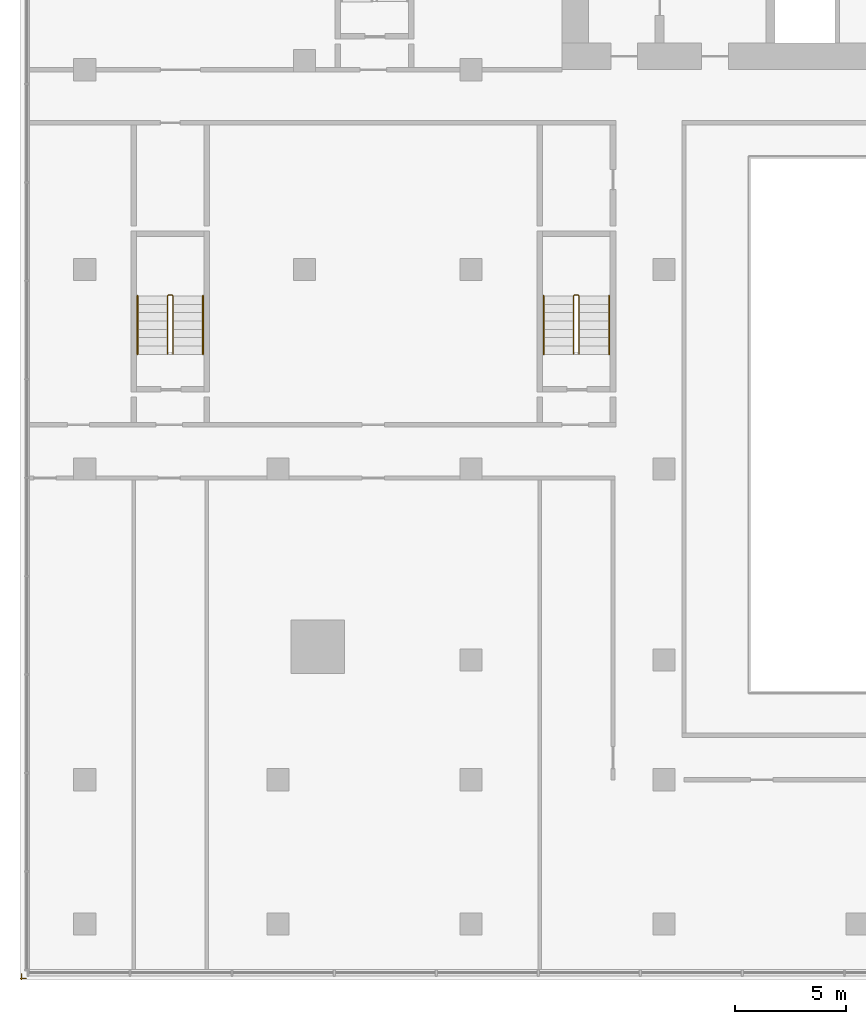
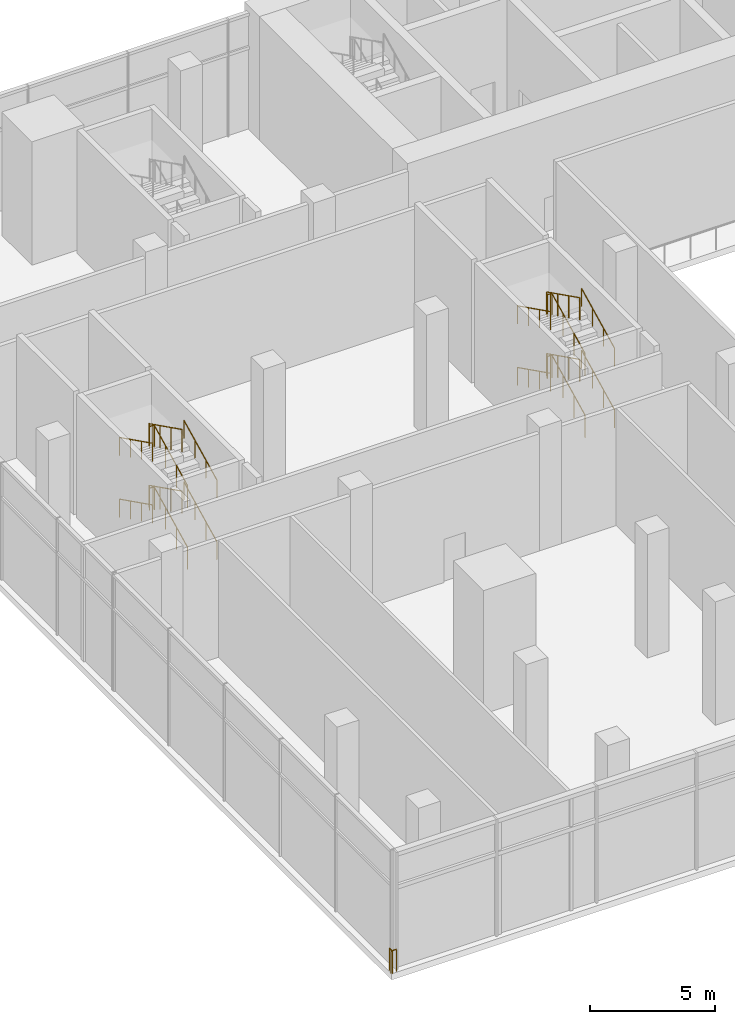
# One storey, part 18 of 22: 13 railings.
"""IFC4 building model written with IfcOpenShell, lengths in metres."""

from ifc_helpers import new_model, si_unit, direction, frame, origin, origin_2d, place, context, subcontext, project, spatial, circle, extrude, material, type_object, element, save


model = new_model("IFC4")

# Units and contexts
model_context = context("Model", 3, precision=1e-05, world=origin(), true_north=direction((0.0, 1.0)))
body_context = subcontext(model_context, "Body", "Model", "MODEL_VIEW")
ifc_project = project(units=[si_unit("LENGTHUNIT", "METRE"), si_unit("AREAUNIT", "SQUARE_METRE"), si_unit("VOLUMEUNIT", "CUBIC_METRE"), si_unit("PLANEANGLEUNIT", "RADIAN"), si_unit("MASSUNIT", "GRAM", prefix="KILO")], contexts=[model_context])

# Site, building, storey
site_placement = place(None, origin())
site = spatial("IfcSite", under=ifc_project, at=site_placement, CompositionType="ELEMENT")
building_placement = place(site_placement, origin())
building = spatial("IfcBuilding", under=site, at=building_placement, Name="Bicima Exchange Tower", CompositionType="ELEMENT")
storey_placement = place(building_placement, frame((0.0, 0.0, 14.0)))
storey = spatial("IfcBuildingStorey", under=building, at=storey_placement, Name="L02", CompositionType="ELEMENT", Elevation=14.0)

# Railings
ifc_material_1 = material(Name="Stainless steel and bonded safety glass", Category="steel")
railing_type_1 = type_object("IfcRailingType", Name="Edge guard 1100", PredefinedType="GUARDRAIL", material=ifc_material_1)
railing_1_placement = place(storey_placement, frame((-46.15087890625, -53.949951171875, 0.0)))
element("IfcRailing", 1, at=railing_1_placement, inside=storey, type_object=railing_type_1, Name="Edge guard L02 8", PredefinedType="GUARDRAIL", context=body_context, shape_type="SweptSolid", body=[
    extrude(circle(Radius=0.02392578125, at=origin_2d()), frame((0.0, 0.0, 1.076171875), z_axis=(-1.0, 0.0, 0.0), x_axis=(0.0, -1.0, 0.0)), (0.0, 0.0, 1.0), 0.2490234375),
    extrude(circle(Radius=0.02392578125, at=origin_2d()), frame((-0.2490234375, 0.0, 1.076171875), z_axis=(0.705375805398, -0.708833529934, 0.0), x_axis=(0.708833529934, 0.705375805398, 0.0)), (0.0, 0.0, 1.0), 0.070556640625),
    extrude(circle(Radius=0.02392578125, at=origin_2d()), frame((-0.19921875, -0.050048828125, 1.076171875), z_axis=(0.0, 1.0, 0.0), x_axis=(-1.0, 0.0, 0.0)), (0.0, 0.0, 1.0), 0.25),
    extrude(circle(Radius=0.02099609375, at=origin_2d()), origin(), (0.0, 0.0, 1.0), 1.052001953125),
    extrude(circle(Radius=0.02099609375, at=origin_2d()), frame((-0.2490234375, 0.0, 0.0)), (0.0, 0.0, 1.0), 1.052001953125),
    extrude(circle(Radius=0.02099609375, at=origin_2d()), frame((-0.19921875, -0.050048828125, 0.0)), (0.0, 0.0, 1.0), 1.052001953125),
    extrude(circle(Radius=0.02099609375, at=origin_2d()), frame((-0.19921875, 0.199951171875, 0.0)), (0.0, 0.0, 1.0), 1.052001953125),
])
ifc_material_2 = material(Name="Stainless steel", Category="steel")
railing_type_2 = type_object("IfcRailingType", Name="Stair guard 1100", PredefinedType="GUARDRAIL", material=ifc_material_2)
railing_2_placement = place(storey_placement, frame((-39.52490234375, -25.824951171875, 0.1875)))
element("IfcRailing", 2, at=railing_2_placement, inside=storey, type_object=railing_type_2, Name="L02 PS-W stair guard 1", PredefinedType="GUARDRAIL", context=body_context, shape_type="SweptSolid", body=[
    extrude(circle(Radius=0.02392578125, at=origin_2d()), frame((0.0, 0.0, 1.076171875), z_axis=(0.0, 0.894759197849, 0.446548964689), x_axis=(-1.0, 0.0, 0.0)), (0.0, 0.0, 1.0), 2.939208984375),
    extrude(circle(Radius=0.02392578125, at=origin_2d()), frame((0.0, 2.6298828125, 2.388671875), z_axis=(-0.707106781187, 0.707106781187, 0.0), x_axis=(-0.707106781187, -0.707106781187, 0.0)), (0.0, 0.0, 1.0), 0.07080078125),
    extrude(circle(Radius=0.02392578125, at=origin_2d()), frame((-0.050048828125, 2.679931640625, 2.388671875), z_axis=(-1.0, 0.0, 0.0), x_axis=(0.0, -1.0, 0.0)), (0.0, 0.0, 1.0), 0.150146484375),
    extrude(circle(Radius=0.02392578125, at=origin_2d()), frame((-0.2001953125, 2.679931640625, 2.388671875), z_axis=(-0.248583702486, -0.249802250048, 0.935844527007), x_axis=(0.708833529934, -0.705375805398, 0.0)), (0.0, 0.0, 1.0), 0.200439453125),
    extrude(circle(Radius=0.02392578125, at=origin_2d()), frame((-0.25, 2.6298828125, 2.576171875), z_axis=(0.0, -0.894759197849, 0.446548964689), x_axis=(1.0, 0.0, 0.0)), (0.0, 0.0, 1.0), 2.939208984375),
    extrude(circle(Radius=0.02099609375, at=origin_2d()), origin(), (0.0, 0.0, 1.0), 1.052001953125),
    extrude(circle(Radius=0.02099609375, at=origin_2d()), frame((0.0, 0.876708984375, 0.4375)), (0.0, 0.0, 1.0), 1.052001953125),
    extrude(circle(Radius=0.02099609375, at=origin_2d()), frame((0.0, 1.753173828125, 0.875)), (0.0, 0.0, 1.0), 1.052001953125),
    extrude(circle(Radius=0.02099609375, at=origin_2d()), frame((0.0, 2.6298828125, 1.3125)), (0.0, 0.0, 1.0), 1.052001953125),
    extrude(circle(Radius=0.02099609375, at=origin_2d()), frame((-0.050048828125, 2.679931640625, 1.3125)), (0.0, 0.0, 1.0), 1.052001953125),
    extrude(circle(Radius=0.02099609375, at=origin_2d()), frame((-0.2001953125, 2.679931640625, 1.3125)), (0.0, 0.0, 1.0), 1.052001953125),
    extrude(circle(Radius=0.02099609375, at=origin_2d()), frame((-0.25, 2.6298828125, 1.5)), (0.0, 0.0, 1.0), 1.052001953125),
    extrude(circle(Radius=0.02099609375, at=origin_2d()), frame((-0.25, 1.753173828125, 1.9375)), (0.0, 0.0, 1.0), 1.052001953125),
    extrude(circle(Radius=0.02099609375, at=origin_2d()), frame((-0.25, 0.876708984375, 2.375)), (0.0, 0.0, 1.0), 1.052001953125),
    extrude(circle(Radius=0.02099609375, at=origin_2d()), frame((-0.25, 0.0, 2.8125)), (0.0, 0.0, 1.0), 1.052001953125),
])
railing_3_placement = place(storey_placement, frame((-39.52490234375, -25.824951171875, 3.1875)))
element("IfcRailing", 3, at=railing_3_placement, inside=storey, type_object=railing_type_2, Name="L02 PS-W stair guard 2", PredefinedType="GUARDRAIL", context=body_context, shape_type="SweptSolid", body=[
    extrude(circle(Radius=0.02392578125, at=origin_2d()), frame((0.0, 0.0, 1.076171875), z_axis=(0.0, 0.894759197849, 0.446548964689), x_axis=(-1.0, 0.0, 0.0)), (0.0, 0.0, 1.0), 2.939208984375),
    extrude(circle(Radius=0.02392578125, at=origin_2d()), frame((0.0, 2.6298828125, 2.388671875), z_axis=(-0.707106781187, 0.707106781187, 0.0), x_axis=(-0.707106781187, -0.707106781187, 0.0)), (0.0, 0.0, 1.0), 0.07080078125),
    extrude(circle(Radius=0.02392578125, at=origin_2d()), frame((-0.050048828125, 2.679931640625, 2.388671875), z_axis=(-1.0, 0.0, 0.0), x_axis=(0.0, -1.0, 0.0)), (0.0, 0.0, 1.0), 0.150146484375),
    extrude(circle(Radius=0.02392578125, at=origin_2d()), frame((-0.2001953125, 2.679931640625, 2.388671875), z_axis=(-0.248583702486, -0.249802250048, 0.935844527007), x_axis=(0.708833529934, -0.705375805398, 0.0)), (0.0, 0.0, 1.0), 0.200439453125),
    extrude(circle(Radius=0.02392578125, at=origin_2d()), frame((-0.25, 2.6298828125, 2.576171875), z_axis=(0.0, -0.894759197849, 0.446548964689), x_axis=(1.0, 0.0, 0.0)), (0.0, 0.0, 1.0), 2.939208984375),
    extrude(circle(Radius=0.02099609375, at=origin_2d()), origin(), (0.0, 0.0, 1.0), 1.052001953125),
    extrude(circle(Radius=0.02099609375, at=origin_2d()), frame((0.0, 0.876708984375, 0.4375)), (0.0, 0.0, 1.0), 1.052001953125),
    extrude(circle(Radius=0.02099609375, at=origin_2d()), frame((0.0, 1.753173828125, 0.875)), (0.0, 0.0, 1.0), 1.052001953125),
    extrude(circle(Radius=0.02099609375, at=origin_2d()), frame((0.0, 2.6298828125, 1.3125)), (0.0, 0.0, 1.0), 1.052001953125),
    extrude(circle(Radius=0.02099609375, at=origin_2d()), frame((-0.050048828125, 2.679931640625, 1.3125)), (0.0, 0.0, 1.0), 1.052001953125),
    extrude(circle(Radius=0.02099609375, at=origin_2d()), frame((-0.2001953125, 2.679931640625, 1.3125)), (0.0, 0.0, 1.0), 1.052001953125),
    extrude(circle(Radius=0.02099609375, at=origin_2d()), frame((-0.25, 2.6298828125, 1.5)), (0.0, 0.0, 1.0), 1.052001953125),
    extrude(circle(Radius=0.02099609375, at=origin_2d()), frame((-0.25, 1.753173828125, 1.9375)), (0.0, 0.0, 1.0), 1.052001953125),
    extrude(circle(Radius=0.02099609375, at=origin_2d()), frame((-0.25, 0.876708984375, 2.375)), (0.0, 0.0, 1.0), 1.052001953125),
    extrude(circle(Radius=0.02099609375, at=origin_2d()), frame((-0.25, 0.0, 2.8125)), (0.0, 0.0, 1.0), 1.052001953125),
])
railing_4_placement = place(storey_placement, frame((-21.22509765625, -25.824951171875, 0.1875)))
element("IfcRailing", 4, at=railing_4_placement, inside=storey, type_object=railing_type_2, Name="L02 PS-WI stair guard 1", PredefinedType="GUARDRAIL", context=body_context, shape_type="SweptSolid", body=[
    extrude(circle(Radius=0.02392578125, at=origin_2d()), frame((0.0, 0.0, 1.076171875), z_axis=(0.0, 0.894759197849, 0.446548964689), x_axis=(-1.0, 0.0, 0.0)), (0.0, 0.0, 1.0), 2.939208984375),
    extrude(circle(Radius=0.02392578125, at=origin_2d()), frame((0.0, 2.6298828125, 2.388671875), z_axis=(-0.705375805398, 0.708833529934, 0.0), x_axis=(-0.708833529934, -0.705375805398, 0.0)), (0.0, 0.0, 1.0), 0.070556640625),
    extrude(circle(Radius=0.02392578125, at=origin_2d()), frame((-0.0498046875, 2.679931640625, 2.388671875), z_axis=(-1.0, 0.0, 0.0), x_axis=(0.0, -1.0, 0.0)), (0.0, 0.0, 1.0), 0.150146484375),
    extrude(circle(Radius=0.02392578125, at=origin_2d()), frame((-0.199951171875, 2.679931640625, 2.388671875), z_axis=(-0.249726431254, -0.249726431254, 0.935560483917), x_axis=(0.707106781187, -0.707106781187, 0.0)), (0.0, 0.0, 1.0), 0.200439453125),
    extrude(circle(Radius=0.02392578125, at=origin_2d()), frame((-0.25, 2.6298828125, 2.576171875), z_axis=(0.0, -0.894759197849, 0.446548964689), x_axis=(1.0, 0.0, 0.0)), (0.0, 0.0, 1.0), 2.939208984375),
    extrude(circle(Radius=0.02099609375, at=origin_2d()), origin(), (0.0, 0.0, 1.0), 1.052001953125),
    extrude(circle(Radius=0.02099609375, at=origin_2d()), frame((0.0, 0.876708984375, 0.4375)), (0.0, 0.0, 1.0), 1.052001953125),
    extrude(circle(Radius=0.02099609375, at=origin_2d()), frame((0.0, 1.753173828125, 0.875)), (0.0, 0.0, 1.0), 1.052001953125),
    extrude(circle(Radius=0.02099609375, at=origin_2d()), frame((0.0, 2.6298828125, 1.3125)), (0.0, 0.0, 1.0), 1.052001953125),
    extrude(circle(Radius=0.02099609375, at=origin_2d()), frame((-0.0498046875, 2.679931640625, 1.3125)), (0.0, 0.0, 1.0), 1.052001953125),
    extrude(circle(Radius=0.02099609375, at=origin_2d()), frame((-0.199951171875, 2.679931640625, 1.3125)), (0.0, 0.0, 1.0), 1.052001953125),
    extrude(circle(Radius=0.02099609375, at=origin_2d()), frame((-0.25, 2.6298828125, 1.5)), (0.0, 0.0, 1.0), 1.052001953125),
    extrude(circle(Radius=0.02099609375, at=origin_2d()), frame((-0.25, 1.753173828125, 1.9375)), (0.0, 0.0, 1.0), 1.052001953125),
    extrude(circle(Radius=0.02099609375, at=origin_2d()), frame((-0.25, 0.876708984375, 2.375)), (0.0, 0.0, 1.0), 1.052001953125),
    extrude(circle(Radius=0.02099609375, at=origin_2d()), frame((-0.25, 0.0, 2.8125)), (0.0, 0.0, 1.0), 1.052001953125),
])
railing_5_placement = place(storey_placement, frame((-21.22509765625, -25.824951171875, 3.1875)))
element("IfcRailing", 5, at=railing_5_placement, inside=storey, type_object=railing_type_2, Name="L02 PS-WI stair guard 2", PredefinedType="GUARDRAIL", context=body_context, shape_type="SweptSolid", body=[
    extrude(circle(Radius=0.02392578125, at=origin_2d()), frame((0.0, 0.0, 1.076171875), z_axis=(0.0, 0.894759197849, 0.446548964689), x_axis=(-1.0, 0.0, 0.0)), (0.0, 0.0, 1.0), 2.939208984375),
    extrude(circle(Radius=0.02392578125, at=origin_2d()), frame((0.0, 2.6298828125, 2.388671875), z_axis=(-0.705375805398, 0.708833529934, 0.0), x_axis=(-0.708833529934, -0.705375805398, 0.0)), (0.0, 0.0, 1.0), 0.070556640625),
    extrude(circle(Radius=0.02392578125, at=origin_2d()), frame((-0.0498046875, 2.679931640625, 2.388671875), z_axis=(-1.0, 0.0, 0.0), x_axis=(0.0, -1.0, 0.0)), (0.0, 0.0, 1.0), 0.150146484375),
    extrude(circle(Radius=0.02392578125, at=origin_2d()), frame((-0.199951171875, 2.679931640625, 2.388671875), z_axis=(-0.249726431254, -0.249726431254, 0.935560483917), x_axis=(0.707106781187, -0.707106781187, 0.0)), (0.0, 0.0, 1.0), 0.200439453125),
    extrude(circle(Radius=0.02392578125, at=origin_2d()), frame((-0.25, 2.6298828125, 2.576171875), z_axis=(0.0, -0.894759197849, 0.446548964689), x_axis=(1.0, 0.0, 0.0)), (0.0, 0.0, 1.0), 2.939208984375),
    extrude(circle(Radius=0.02099609375, at=origin_2d()), origin(), (0.0, 0.0, 1.0), 1.052001953125),
    extrude(circle(Radius=0.02099609375, at=origin_2d()), frame((0.0, 0.876708984375, 0.4375)), (0.0, 0.0, 1.0), 1.052001953125),
    extrude(circle(Radius=0.02099609375, at=origin_2d()), frame((0.0, 1.753173828125, 0.875)), (0.0, 0.0, 1.0), 1.052001953125),
    extrude(circle(Radius=0.02099609375, at=origin_2d()), frame((0.0, 2.6298828125, 1.3125)), (0.0, 0.0, 1.0), 1.052001953125),
    extrude(circle(Radius=0.02099609375, at=origin_2d()), frame((-0.0498046875, 2.679931640625, 1.3125)), (0.0, 0.0, 1.0), 1.052001953125),
    extrude(circle(Radius=0.02099609375, at=origin_2d()), frame((-0.199951171875, 2.679931640625, 1.3125)), (0.0, 0.0, 1.0), 1.052001953125),
    extrude(circle(Radius=0.02099609375, at=origin_2d()), frame((-0.25, 2.6298828125, 1.5)), (0.0, 0.0, 1.0), 1.052001953125),
    extrude(circle(Radius=0.02099609375, at=origin_2d()), frame((-0.25, 1.753173828125, 1.9375)), (0.0, 0.0, 1.0), 1.052001953125),
    extrude(circle(Radius=0.02099609375, at=origin_2d()), frame((-0.25, 0.876708984375, 2.375)), (0.0, 0.0, 1.0), 1.052001953125),
    extrude(circle(Radius=0.02099609375, at=origin_2d()), frame((-0.25, 0.0, 2.8125)), (0.0, 0.0, 1.0), 1.052001953125),
])
railing_type_3 = type_object("IfcRailingType", Name="Stair handrail 900", PredefinedType="HANDRAIL", material=ifc_material_2)
railing_6_placement = place(storey_placement, frame((-38.175048828125, -25.824951171875, 0.1875)))
element("IfcRailing", 6, at=railing_6_placement, inside=storey, type_object=railing_type_3, Name="L02 PS-W stair handrail 1", PredefinedType="HANDRAIL", context=body_context, shape_type="SweptSolid", body=[
    extrude(circle(Radius=0.02392578125, at=origin_2d()), frame((0.0, 0.0, 0.8759765625), z_axis=(0.0, 0.894759197849, 0.446548964689), x_axis=(-1.0, 0.0, 0.0)), (0.0, 0.0, 1.0), 2.939208984375),
    extrude(circle(Radius=0.02099609375, at=origin_2d()), origin(), (0.0, 0.0, 1.0), 0.851806640625),
    extrude(circle(Radius=0.02099609375, at=origin_2d()), frame((0.0, 0.876708984375, 0.4375)), (0.0, 0.0, 1.0), 0.851806640625),
    extrude(circle(Radius=0.02099609375, at=origin_2d()), frame((0.0, 1.753173828125, 0.875)), (0.0, 0.0, 1.0), 0.851806640625),
    extrude(circle(Radius=0.02099609375, at=origin_2d()), frame((0.0, 2.6298828125, 1.3125)), (0.0, 0.0, 1.0), 0.851806640625),
])
railing_7_placement = place(storey_placement, frame((-41.125, -23.195068359375, 1.6875)))
element("IfcRailing", 7, at=railing_7_placement, inside=storey, type_object=railing_type_3, Name="L02 PS-W stair handrail 2", PredefinedType="HANDRAIL", context=body_context, shape_type="SweptSolid", body=[
    extrude(circle(Radius=0.02392578125, at=origin_2d()), frame((0.0, 0.0, 0.8759765625), z_axis=(0.0, -0.894759197849, 0.446548964689), x_axis=(1.0, 0.0, 0.0)), (0.0, 0.0, 1.0), 2.939208984375),
    extrude(circle(Radius=0.02099609375, at=origin_2d()), origin(), (0.0, 0.0, 1.0), 0.851806640625),
    extrude(circle(Radius=0.02099609375, at=origin_2d()), frame((0.0, -0.876708984375, 0.4375)), (0.0, 0.0, 1.0), 0.851806640625),
    extrude(circle(Radius=0.02099609375, at=origin_2d()), frame((0.0, -1.753173828125, 0.875)), (0.0, 0.0, 1.0), 0.851806640625),
    extrude(circle(Radius=0.02099609375, at=origin_2d()), frame((0.0, -2.6298828125, 1.3125)), (0.0, 0.0, 1.0), 0.851806640625),
])
railing_8_placement = place(storey_placement, frame((-38.175048828125, -25.824951171875, 3.1875)))
element("IfcRailing", 8, at=railing_8_placement, inside=storey, type_object=railing_type_3, Name="L02 PS-W stair handrail 3", PredefinedType="HANDRAIL", context=body_context, shape_type="SweptSolid", body=[
    extrude(circle(Radius=0.02392578125, at=origin_2d()), frame((0.0, 0.0, 0.8759765625), z_axis=(0.0, 0.894759197849, 0.446548964689), x_axis=(-1.0, 0.0, 0.0)), (0.0, 0.0, 1.0), 2.939208984375),
    extrude(circle(Radius=0.02099609375, at=origin_2d()), origin(), (0.0, 0.0, 1.0), 0.851806640625),
    extrude(circle(Radius=0.02099609375, at=origin_2d()), frame((0.0, 0.876708984375, 0.4375)), (0.0, 0.0, 1.0), 0.851806640625),
    extrude(circle(Radius=0.02099609375, at=origin_2d()), frame((0.0, 1.753173828125, 0.875)), (0.0, 0.0, 1.0), 0.851806640625),
    extrude(circle(Radius=0.02099609375, at=origin_2d()), frame((0.0, 2.6298828125, 1.3125)), (0.0, 0.0, 1.0), 0.851806640625),
])
railing_9_placement = place(storey_placement, frame((-41.125, -23.195068359375, 4.6875)))
element("IfcRailing", 9, at=railing_9_placement, inside=storey, type_object=railing_type_3, Name="L02 PS-W stair handrail 4", PredefinedType="HANDRAIL", context=body_context, shape_type="SweptSolid", body=[
    extrude(circle(Radius=0.02392578125, at=origin_2d()), frame((0.0, 0.0, 0.8759765625), z_axis=(0.0, -0.894759197849, 0.446548964689), x_axis=(1.0, 0.0, 0.0)), (0.0, 0.0, 1.0), 2.939208984375),
    extrude(circle(Radius=0.02099609375, at=origin_2d()), origin(), (0.0, 0.0, 1.0), 0.851806640625),
    extrude(circle(Radius=0.02099609375, at=origin_2d()), frame((0.0, -0.876708984375, 0.4375)), (0.0, 0.0, 1.0), 0.851806640625),
    extrude(circle(Radius=0.02099609375, at=origin_2d()), frame((0.0, -1.753173828125, 0.875)), (0.0, 0.0, 1.0), 0.851806640625),
    extrude(circle(Radius=0.02099609375, at=origin_2d()), frame((0.0, -2.6298828125, 1.3125)), (0.0, 0.0, 1.0), 0.851806640625),
])
railing_10_placement = place(storey_placement, frame((-19.875, -25.824951171875, 0.1875)))
element("IfcRailing", 10, at=railing_10_placement, inside=storey, type_object=railing_type_3, Name="L02 PS-WI stair handrail 1", PredefinedType="HANDRAIL", context=body_context, shape_type="SweptSolid", body=[
    extrude(circle(Radius=0.02392578125, at=origin_2d()), frame((0.0, 0.0, 0.8759765625), z_axis=(0.0, 0.894759197849, 0.446548964689), x_axis=(-1.0, 0.0, 0.0)), (0.0, 0.0, 1.0), 2.939208984375),
    extrude(circle(Radius=0.02099609375, at=origin_2d()), origin(), (0.0, 0.0, 1.0), 0.851806640625),
    extrude(circle(Radius=0.02099609375, at=origin_2d()), frame((0.0, 0.876708984375, 0.4375)), (0.0, 0.0, 1.0), 0.851806640625),
    extrude(circle(Radius=0.02099609375, at=origin_2d()), frame((0.0, 1.753173828125, 0.875)), (0.0, 0.0, 1.0), 0.851806640625),
    extrude(circle(Radius=0.02099609375, at=origin_2d()), frame((0.0, 2.6298828125, 1.3125)), (0.0, 0.0, 1.0), 0.851806640625),
])
railing_11_placement = place(storey_placement, frame((-22.824951171875, -23.195068359375, 1.6875)))
element("IfcRailing", 11, at=railing_11_placement, inside=storey, type_object=railing_type_3, Name="L02 PS-WI stair handrail 2", PredefinedType="HANDRAIL", context=body_context, shape_type="SweptSolid", body=[
    extrude(circle(Radius=0.02392578125, at=origin_2d()), frame((0.0, 0.0, 0.8759765625), z_axis=(0.0, -0.894759197849, 0.446548964689), x_axis=(1.0, 0.0, 0.0)), (0.0, 0.0, 1.0), 2.939208984375),
    extrude(circle(Radius=0.02099609375, at=origin_2d()), origin(), (0.0, 0.0, 1.0), 0.851806640625),
    extrude(circle(Radius=0.02099609375, at=origin_2d()), frame((0.0, -0.876708984375, 0.4375)), (0.0, 0.0, 1.0), 0.851806640625),
    extrude(circle(Radius=0.02099609375, at=origin_2d()), frame((0.0, -1.753173828125, 0.875)), (0.0, 0.0, 1.0), 0.851806640625),
    extrude(circle(Radius=0.02099609375, at=origin_2d()), frame((0.0, -2.6298828125, 1.3125)), (0.0, 0.0, 1.0), 0.851806640625),
])
railing_12_placement = place(storey_placement, frame((-19.875, -25.824951171875, 3.1875)))
element("IfcRailing", 12, at=railing_12_placement, inside=storey, type_object=railing_type_3, Name="L02 PS-WI stair handrail 3", PredefinedType="HANDRAIL", context=body_context, shape_type="SweptSolid", body=[
    extrude(circle(Radius=0.02392578125, at=origin_2d()), frame((0.0, 0.0, 0.8759765625), z_axis=(0.0, 0.894759197849, 0.446548964689), x_axis=(-1.0, 0.0, 0.0)), (0.0, 0.0, 1.0), 2.939208984375),
    extrude(circle(Radius=0.02099609375, at=origin_2d()), origin(), (0.0, 0.0, 1.0), 0.851806640625),
    extrude(circle(Radius=0.02099609375, at=origin_2d()), frame((0.0, 0.876708984375, 0.4375)), (0.0, 0.0, 1.0), 0.851806640625),
    extrude(circle(Radius=0.02099609375, at=origin_2d()), frame((0.0, 1.753173828125, 0.875)), (0.0, 0.0, 1.0), 0.851806640625),
    extrude(circle(Radius=0.02099609375, at=origin_2d()), frame((0.0, 2.6298828125, 1.3125)), (0.0, 0.0, 1.0), 0.851806640625),
])
railing_13_placement = place(storey_placement, frame((-22.824951171875, -23.195068359375, 4.6875)))
element("IfcRailing", 13, at=railing_13_placement, inside=storey, type_object=railing_type_3, Name="L02 PS-WI stair handrail 4", PredefinedType="HANDRAIL", context=body_context, shape_type="SweptSolid", body=[
    extrude(circle(Radius=0.02392578125, at=origin_2d()), frame((0.0, 0.0, 0.8759765625), z_axis=(0.0, -0.894759197849, 0.446548964689), x_axis=(1.0, 0.0, 0.0)), (0.0, 0.0, 1.0), 2.939208984375),
    extrude(circle(Radius=0.02099609375, at=origin_2d()), origin(), (0.0, 0.0, 1.0), 0.851806640625),
    extrude(circle(Radius=0.02099609375, at=origin_2d()), frame((0.0, -0.876708984375, 0.4375)), (0.0, 0.0, 1.0), 0.851806640625),
    extrude(circle(Radius=0.02099609375, at=origin_2d()), frame((0.0, -1.753173828125, 0.875)), (0.0, 0.0, 1.0), 0.851806640625),
    extrude(circle(Radius=0.02099609375, at=origin_2d()), frame((0.0, -2.6298828125, 1.3125)), (0.0, 0.0, 1.0), 0.851806640625),
])

save(model, "model.ifc")
